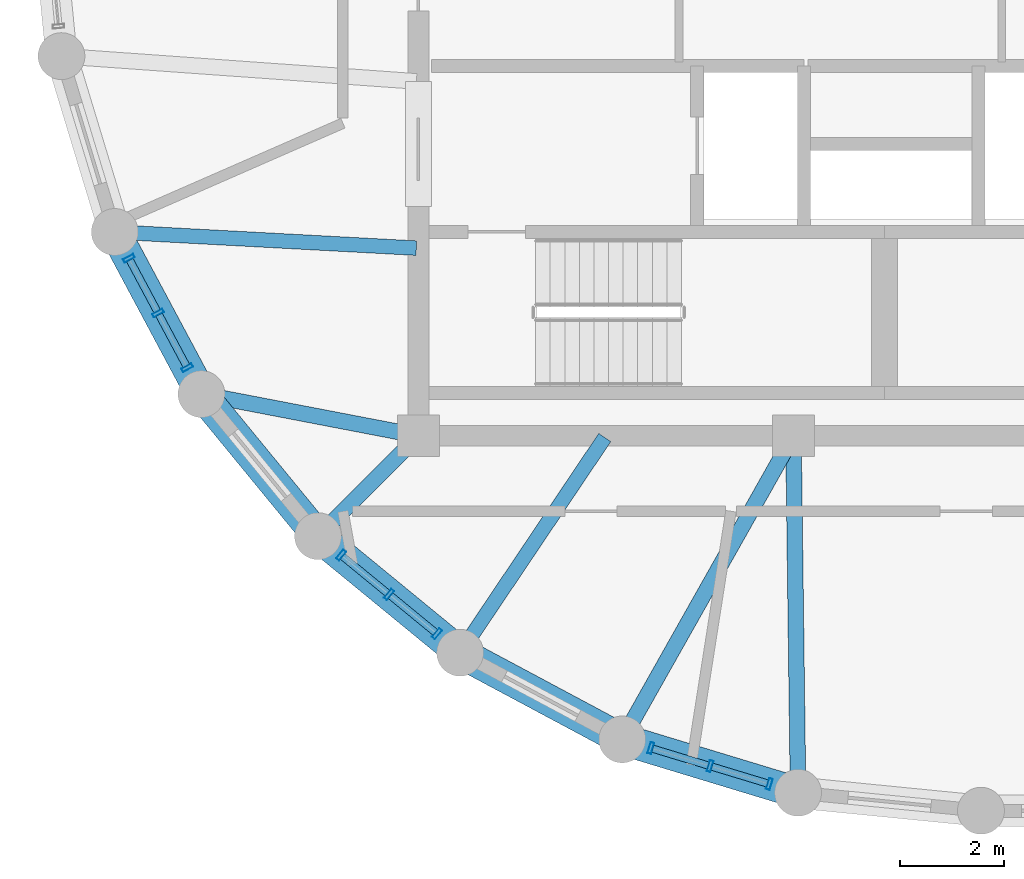
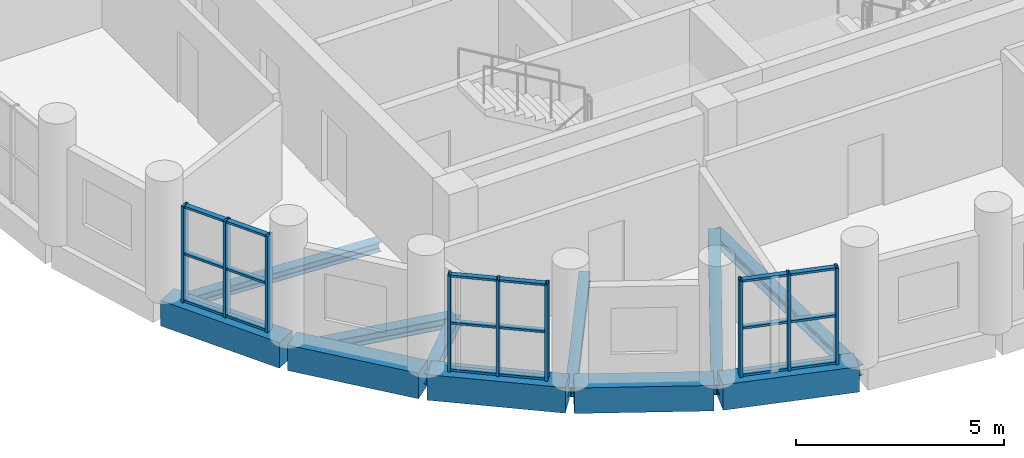
# One storey, part 2 of 11: 27 members, 11 beams, 3 elements without a shape of their own.
"""IFC4 building model written with IfcOpenShell, lengths in metres."""

from ifc_helpers import new_model, si_unit, direction, frame, origin, origin_2d, place, context, subcontext, project, spatial, rectangle, hollow_rectangle, i_section, extrude, material, layer, layer_set, material_profile, profile_set, type_object, element, aggregate, save


model = new_model("IFC4")

# Units and contexts
model_context = context("Model", 3, precision=1e-05, world=origin(), true_north=direction((0.0, 1.0)))
body_context = subcontext(model_context, "Body", "Model", "MODEL_VIEW")
ifc_project = project(units=[si_unit("LENGTHUNIT", "METRE"), si_unit("AREAUNIT", "SQUARE_METRE"), si_unit("VOLUMEUNIT", "CUBIC_METRE"), si_unit("PLANEANGLEUNIT", "RADIAN"), si_unit("MASSUNIT", "GRAM", prefix="KILO")], contexts=[model_context])

# Site, building, storey
site_placement = place(None, origin())
site = spatial("IfcSite", under=ifc_project, at=site_placement, CompositionType="ELEMENT")
building_placement = place(site_placement, origin())
building = spatial("IfcBuilding", under=site, at=building_placement, Name="Solnavia Interchange Tower", CompositionType="ELEMENT")
storey_placement = place(building_placement, frame((0.0, 0.0, 239.0)))
storey = spatial("IfcBuildingStorey", under=building, at=storey_placement, Name="L60", CompositionType="ELEMENT", Elevation=239.0)

# Beams
ifc_material_1 = material(Name="Steel S460", Category="steel")
ifc_material_profile_1 = material_profile(ifc_material_1, i_section(OverallWidth=0.300048828125, OverallDepth=0.300048828125, WebThickness=0.010986328125, FlangeThickness=0.01904296875, FilletRadius=0.027099609375, at=origin_2d()), Name="HEB 300")
ifc_profile_set_1 = profile_set([ifc_material_profile_1], Name="Steel S460")
beam_type_1 = type_object("IfcBeamType", Name="Beam-Girder-HEB300", PredefinedType="BEAM", material=ifc_profile_set_1)
beam_1_placement = place(storey_placement, frame((10.3125, 11.5849609375, -0.39990234375), z_axis=(0.982057527796, -0.188581579428, 0.0), x_axis=(0.188581579428, 0.982057527796, 0.0)))
element("IfcBeam", 1, at=beam_1_placement, inside=storey, type_object=beam_type_1, Name="GRD-L60-DR07 Drum radial floor girder", PredefinedType="BEAM", context=body_context, shape_type="SweptSolid", body=[
    extrude(i_section(OverallWidth=0.300048828125, OverallDepth=0.300048828125, WebThickness=0.010986328125, FlangeThickness=0.01904296875, FilletRadius=0.027099609375, at=origin_2d()), origin(), (0.0, 0.0, 1.0), 4.1220703125),
])
beam_2_placement = place(storey_placement, frame((18.351318359375, 5.039794921875, -0.39990234375), z_axis=(0.491243158486, 0.871022479182, 0.0), x_axis=(-0.871022479182, 0.491243158486, 0.0)))
element("IfcBeam", 2, at=beam_2_placement, inside=storey, type_object=beam_type_1, Name="GRD-L60-DR10 Drum radial floor girder", PredefinedType="BEAM", context=body_context, shape_type="SweptSolid", body=[
    extrude(i_section(OverallWidth=0.300048828125, OverallDepth=0.300048828125, WebThickness=0.010986328125, FlangeThickness=0.01904296875, FilletRadius=0.027099609375, at=origin_2d()), origin(), (0.0, 0.0, 1.0), 6.5732421875),
])
ifc_material_2 = material(Name="Steel S355", Category="steel")
ifc_material_profile_2 = material_profile(ifc_material_2, i_section(OverallWidth=0.280029296875, OverallDepth=0.27001953125, WebThickness=0.008056640625, FlangeThickness=0.012939453125, FilletRadius=0.02392578125, at=origin_2d()), Name="HEA 280")
ifc_profile_set_2 = profile_set([ifc_material_profile_2], Name="Steel S355")
beam_type_2 = type_object("IfcBeamType", Name="Beam-Primary-HEA280", PredefinedType="BEAM", material=ifc_profile_set_2)
beam_3_placement = place(storey_placement, frame((8.64990234375, 14.707763671875, -0.385009765625), z_axis=(0.998570371303, -0.053452909696, 0.0), x_axis=(0.053452909696, 0.998570371303, 0.0)))
element("IfcBeam", 3, at=beam_3_placement, inside=storey, type_object=beam_type_2, Name="GRD-L60-DR06 Drum radial floor girder", PredefinedType="BEAM", context=body_context, shape_type="SweptSolid", body=[
    extrude(i_section(OverallWidth=0.280029296875, OverallDepth=0.27001953125, WebThickness=0.008056640625, FlangeThickness=0.012939453125, FilletRadius=0.02392578125, at=origin_2d()), origin(), (0.0, 0.0, 1.0), 5.71826171875),
])
beam_4_placement = place(storey_placement, frame((15.24462890625, 6.700439453125, -0.385009765625), z_axis=(0.557835474219, 0.829951555033, 0.0), x_axis=(-0.829951555033, 0.557835474219, 0.0)))
element("IfcBeam", 4, at=beam_4_placement, inside=storey, type_object=beam_type_2, Name="GRD-L60-DR09 Drum radial floor girder", PredefinedType="BEAM", context=body_context, shape_type="SweptSolid", body=[
    extrude(i_section(OverallWidth=0.280029296875, OverallDepth=0.27001953125, WebThickness=0.008056640625, FlangeThickness=0.012939453125, FilletRadius=0.02392578125, at=origin_2d()), origin(), (0.0, 0.0, 1.0), 4.899658203125),
])
ifc_material_profile_3 = material_profile(ifc_material_2, i_section(OverallWidth=0.300048828125, OverallDepth=0.31005859375, WebThickness=0.009033203125, FlangeThickness=0.015380859375, FilletRadius=0.027099609375, at=origin_2d()), Name="HEA 320")
ifc_profile_set_3 = profile_set([ifc_material_profile_3], Name="Steel S355")
beam_type_3 = type_object("IfcBeamType", Name="Beam-Primary-HEA320", PredefinedType="BEAM", material=ifc_profile_set_3)
beam_5_placement = place(storey_placement, frame((12.528564453125, 8.9287109375, -0.405029296875), z_axis=(0.707106781187, 0.707106781187, 0.0), x_axis=(-0.707106781187, 0.707106781187, 0.0)))
element("IfcBeam", 5, at=beam_5_placement, inside=storey, type_object=beam_type_3, Name="GRD-L60-DR08 Drum radial floor girder", PredefinedType="BEAM", context=body_context, shape_type="SweptSolid", body=[
    extrude(i_section(OverallWidth=0.300048828125, OverallDepth=0.31005859375, WebThickness=0.009033203125, FlangeThickness=0.015380859375, FilletRadius=0.027099609375, at=origin_2d()), origin(), (0.0, 0.0, 1.0), 2.6064453125),
])
beam_6_placement = place(storey_placement, frame((21.68701171875, 4.02587890625, -0.405029296875), z_axis=(-0.01283293513, 0.999917654498, 0.0), x_axis=(-0.999917654498, -0.01283293513, 0.0)))
element("IfcBeam", 6, at=beam_6_placement, inside=storey, type_object=beam_type_3, Name="GRD-L60-DR11 Drum radial floor girder", PredefinedType="BEAM", context=body_context, shape_type="SweptSolid", body=[
    extrude(i_section(OverallWidth=0.300048828125, OverallDepth=0.31005859375, WebThickness=0.009033203125, FlangeThickness=0.015380859375, FilletRadius=0.027099609375, at=origin_2d()), origin(), (0.0, 0.0, 1.0), 6.734619140625),
])
ifc_material_3 = material(Name="Concrete C50/60", Category="concrete")
ifc_material_profile_4 = material_profile(ifc_material_3, rectangle(XDim=0.60009765625, YDim=0.75, at=origin_2d()), Name="RC 600x750")
ifc_profile_set_4 = profile_set([ifc_material_profile_4], Name="Concrete C50/60")
beam_type_4 = type_object("IfcBeamType", Name="Beam-Spandrel-RC600x750", PredefinedType="SPANDREL", material=ifc_profile_set_4)
beam_7_placement = place(storey_placement, frame((8.607666015625, 14.6416015625, -0.375), z_axis=(0.471509422952, -0.881861023102, 0.0), x_axis=(0.881861023102, 0.471509422952, 0.0)))
element("IfcBeam", 7, at=beam_7_placement, inside=storey, type_object=beam_type_4, Name="SPB-L60-03 Framed-tube perimeter spandrel beam", PredefinedType="SPANDREL", context=body_context, shape_type="SweptSolid", body=[
    extrude(rectangle(XDim=0.60009765625, YDim=0.75, at=origin_2d()), origin(), (0.0, 0.0, 1.0), 3.369140625),
])
for number, where, z_axis, x_axis, name in (
    (8, (10.28466796875, 11.5380859375, -0.375), (0.634298841675, -0.773087950656, 0.0), (0.773087950656, 0.634298841675, 0.0), "SPB-L60-04 Framed-tube perimeter spandrel beam"),
    (9, (12.53369140625, 8.8212890625, -0.375), (0.773152644452, -0.634219984214, 0.0), (0.634219984214, 0.773152644452, 0.0), "SPB-L60-05 Framed-tube perimeter spandrel beam"),
):
    element("IfcBeam", number, at=place(storey_placement, frame(where, z_axis=z_axis, x_axis=x_axis)), inside=storey, type_object=beam_type_4, Name=name, PredefinedType="SPANDREL", context=body_context, shape_type="SweptSolid", body=[
        extrude(rectangle(XDim=0.60009765625, YDim=0.75, at=origin_2d()), origin(), (0.0, 0.0, 1.0), 3.36865234375),
    ])
beam_8_placement = place(storey_placement, frame((15.2705078125, 6.59619140625, -0.375), z_axis=(0.881875044348, -0.47148319817, 0.0), x_axis=(0.47148319817, 0.881875044348, 0.0)))
element("IfcBeam", 10, at=beam_8_placement, inside=storey, type_object=beam_type_4, Name="SPB-L60-06 Framed-tube perimeter spandrel beam", PredefinedType="SPANDREL", context=body_context, shape_type="SweptSolid", body=[
    extrude(rectangle(XDim=0.60009765625, YDim=0.75, at=origin_2d()), origin(), (0.0, 0.0, 1.0), 3.368896484375),
])
beam_9_placement = place(storey_placement, frame((18.388671875, 4.94677734375, -0.375), z_axis=(0.956943884494, -0.290272978297, 0.0), x_axis=(0.290272978297, 0.956943884494, 0.0)))
element("IfcBeam", 11, at=beam_9_placement, inside=storey, type_object=beam_type_4, Name="SPB-L60-07 Framed-tube perimeter spandrel beam", PredefinedType="SPANDREL", context=body_context, shape_type="SweptSolid", body=[
    extrude(rectangle(XDim=0.60009765625, YDim=0.75, at=origin_2d()), origin(), (0.0, 0.0, 1.0), 3.36767578125),
])

# Curtain wall, members
ifc_material_4 = material(Name="Aluminium Alloy 6063-T6", Category="aluminium")
ifc_layer = layer(ifc_material_4, 0.239990234375)
ifc_layer_set = layer_set([ifc_layer], Name="Aluminium Alloy 6063-T6")
curtain_wall_type = type_object("IfcCurtainWallType", Name="CurtainWall-Drum-CTW2", PredefinedType="NOTDEFINED", material=ifc_layer_set)
curtain_wall_1_placement = place(storey_placement, origin())
curtain_wall_1 = element("IfcCurtainWall", 12, at=curtain_wall_1_placement, inside=storey, type_object=curtain_wall_type, Name="CTW-L60-D39 CTW-2 curtain wall", PredefinedType="NOTDEFINED")
ifc_material_profile_5 = material_profile(ifc_material_4, hollow_rectangle(XDim=0.074951171875, YDim=0.219970703125, WallThickness=0.0048828125, at=origin_2d()), Name="ALU 220x75x5")
ifc_profile_set_5 = profile_set([ifc_material_profile_5], Name="Aluminium Alloy 6063-T6")
member_type_1 = type_object("IfcMemberType", Name="CW-Mullion-CWM-2", PredefinedType="MULLION", material=ifc_profile_set_5)
member_1_placement = place(storey_placement, frame((8.841064453125, 14.204833984375, 0.0), z_axis=(0.0, 0.0, 1.0), x_axis=(0.471560876964, -0.881833509976, 0.0)))
member_1 = element("IfcMember", 13, at=member_1_placement, type_object=member_type_1, Name="CTW-2 mullion 1", PredefinedType="MULLION", context=body_context, shape_type="SweptSolid", body=[
    extrude(hollow_rectangle(XDim=0.074951171875, YDim=0.219970703125, WallThickness=0.0048828125, at=origin_2d()), origin(), (0.0, 0.0, 1.0), 2.830078125),
])
member_2_placement = place(storey_placement, frame((9.402099609375, 13.156005859375, 0.0), z_axis=(0.0, 0.0, 1.0), x_axis=(0.471560876964, -0.881833509976, 0.0)))
member_2 = element("IfcMember", 14, at=member_2_placement, type_object=member_type_1, Name="CTW-2 mullion 2", PredefinedType="MULLION", context=body_context, shape_type="SweptSolid", body=[
    extrude(hollow_rectangle(XDim=0.074951171875, YDim=0.219970703125, WallThickness=0.0048828125, at=origin_2d()), origin(), (0.0, 0.0, 1.0), 2.830078125),
])
member_3_placement = place(storey_placement, frame((9.962890625, 12.107177734375, 0.0), z_axis=(0.0, 0.0, 1.0), x_axis=(0.471560876964, -0.881833509976, 0.0)))
member_3 = element("IfcMember", 15, at=member_3_placement, type_object=member_type_1, Name="CTW-2 mullion 3", PredefinedType="MULLION", context=body_context, shape_type="SweptSolid", body=[
    extrude(hollow_rectangle(XDim=0.074951171875, YDim=0.219970703125, WallThickness=0.0048828125, at=origin_2d()), origin(), (0.0, 0.0, 1.0), 2.830078125),
])

curtain_wall_2_placement = place(storey_placement, origin())
curtain_wall_2 = element("IfcCurtainWall", 16, at=curtain_wall_2_placement, inside=storey, type_object=curtain_wall_type, Name="CTW-L60-D41 CTW-2 curtain wall", PredefinedType="NOTDEFINED")
member_4_placement = place(storey_placement, frame((12.91650390625, 8.50732421875, 0.0), z_axis=(0.0, 0.0, 1.0), x_axis=(0.773103093557, -0.634280384951, 0.0)))
member_4 = element("IfcMember", 17, at=member_4_placement, type_object=member_type_1, Name="CTW-2 mullion 1", PredefinedType="MULLION", context=body_context, shape_type="SweptSolid", body=[
    extrude(hollow_rectangle(XDim=0.074951171875, YDim=0.219970703125, WallThickness=0.0048828125, at=origin_2d()), origin(), (0.0, 0.0, 1.0), 2.830078125),
])
member_5_placement = place(storey_placement, frame((13.8359375, 7.7529296875, 0.0), z_axis=(0.0, 0.0, 1.0), x_axis=(0.773103093557, -0.634280384951, 0.0)))
member_5 = element("IfcMember", 18, at=member_5_placement, type_object=member_type_1, Name="CTW-2 mullion 2", PredefinedType="MULLION", context=body_context, shape_type="SweptSolid", body=[
    extrude(hollow_rectangle(XDim=0.074951171875, YDim=0.219970703125, WallThickness=0.0048828125, at=origin_2d()), origin(), (0.0, 0.0, 1.0), 2.830078125),
])
member_6_placement = place(storey_placement, frame((14.75537109375, 6.998779296875, 0.0), z_axis=(0.0, 0.0, 1.0), x_axis=(0.773103093557, -0.634280384951, 0.0)))
member_6 = element("IfcMember", 19, at=member_6_placement, type_object=member_type_1, Name="CTW-2 mullion 3", PredefinedType="MULLION", context=body_context, shape_type="SweptSolid", body=[
    extrude(hollow_rectangle(XDim=0.074951171875, YDim=0.219970703125, WallThickness=0.0048828125, at=origin_2d()), origin(), (0.0, 0.0, 1.0), 2.830078125),
])

curtain_wall_3_placement = place(storey_placement, origin())
curtain_wall_3 = element("IfcCurtainWall", 20, at=curtain_wall_3_placement, inside=storey, type_object=curtain_wall_type, Name="CTW-L60-D43 CTW-2 curtain wall", PredefinedType="NOTDEFINED")
member_7_placement = place(storey_placement, frame((18.8623046875, 4.80322265625, 0.0), z_axis=(0.0, 0.0, 1.0), x_axis=(0.956942072515, -0.290278951786, 0.0)))
member_7 = element("IfcMember", 21, at=member_7_placement, type_object=member_type_1, Name="CTW-2 mullion 1", PredefinedType="MULLION", context=body_context, shape_type="SweptSolid", body=[
    extrude(hollow_rectangle(XDim=0.074951171875, YDim=0.219970703125, WallThickness=0.0048828125, at=origin_2d()), origin(), (0.0, 0.0, 1.0), 2.830078125),
])
member_8_placement = place(storey_placement, frame((20.0, 4.4580078125, 0.0), z_axis=(0.0, 0.0, 1.0), x_axis=(0.956942072515, -0.290278951786, 0.0)))
member_8 = element("IfcMember", 22, at=member_8_placement, type_object=member_type_1, Name="CTW-2 mullion 2", PredefinedType="MULLION", context=body_context, shape_type="SweptSolid", body=[
    extrude(hollow_rectangle(XDim=0.074951171875, YDim=0.219970703125, WallThickness=0.0048828125, at=origin_2d()), origin(), (0.0, 0.0, 1.0), 2.830078125),
])
member_9_placement = place(storey_placement, frame((21.1376953125, 4.11279296875, 0.0), z_axis=(0.0, 0.0, 1.0), x_axis=(0.956942072515, -0.290278951786, 0.0)))
member_9 = element("IfcMember", 23, at=member_9_placement, type_object=member_type_1, Name="CTW-2 mullion 3", PredefinedType="MULLION", context=body_context, shape_type="SweptSolid", body=[
    extrude(hollow_rectangle(XDim=0.074951171875, YDim=0.219970703125, WallThickness=0.0048828125, at=origin_2d()), origin(), (0.0, 0.0, 1.0), 2.830078125),
])

# Member
ifc_material_profile_6 = material_profile(ifc_material_4, hollow_rectangle(XDim=0.06494140625, YDim=0.139892578125, WallThickness=0.00390625, at=origin_2d()), Name="ALU 140x65x4")
ifc_profile_set_6 = profile_set([ifc_material_profile_6], Name="Aluminium Alloy 6063-T6")
member_type_2 = type_object("IfcMemberType", Name="CW-Transom-CWT-2", PredefinedType="USERDEFINED", material=ifc_profile_set_6)
member_10_placement = place(storey_placement, frame((8.85888671875, 14.171875, 0.032470703125), z_axis=(0.471406647105, -0.881915967122, 0.0), x_axis=(0.0, 0.0, 1.0)))
member_10 = element("IfcMember", 24, at=member_10_placement, type_object=member_type_2, Name="CTW-2 transom 1.1", ObjectType="TRANSOM", PredefinedType="USERDEFINED", context=body_context, shape_type="SweptSolid", body=[
    extrude(hollow_rectangle(XDim=0.06494140625, YDim=0.139892578125, WallThickness=0.00390625, at=origin_2d()), origin(), (0.0, 0.0, 1.0), 1.114501953125),
])

member_11_placement = place(storey_placement, frame((8.85888671875, 14.171875, 1.4150390625), z_axis=(0.471406647105, -0.881915967122, 0.0), x_axis=(0.0, 0.0, 1.0)))
member_11 = element("IfcMember", 25, at=member_11_placement, type_object=member_type_2, Name="CTW-2 transom 1.2", ObjectType="TRANSOM", PredefinedType="USERDEFINED", context=body_context, shape_type="SweptSolid", body=[
    extrude(hollow_rectangle(XDim=0.06494140625, YDim=0.139892578125, WallThickness=0.00390625, at=origin_2d()), origin(), (0.0, 0.0, 1.0), 1.114501953125),
])

member_12_placement = place(storey_placement, frame((8.85888671875, 14.171875, 2.797607421875), z_axis=(0.471406647105, -0.881915967122, 0.0), x_axis=(0.0, 0.0, 1.0)))
member_12 = element("IfcMember", 26, at=member_12_placement, type_object=member_type_2, Name="CTW-2 transom 1.3", ObjectType="TRANSOM", PredefinedType="USERDEFINED", context=body_context, shape_type="SweptSolid", body=[
    extrude(hollow_rectangle(XDim=0.06494140625, YDim=0.139892578125, WallThickness=0.00390625, at=origin_2d()), origin(), (0.0, 0.0, 1.0), 1.114501953125),
])

member_13_placement = place(storey_placement, frame((9.419677734375, 13.123046875, 0.032470703125), z_axis=(0.471576996491, -0.881824889862, 0.0), x_axis=(0.0, 0.0, 1.0)))
member_13 = element("IfcMember", 27, at=member_13_placement, type_object=member_type_2, Name="CTW-2 transom 2.1", ObjectType="TRANSOM", PredefinedType="USERDEFINED", context=body_context, shape_type="SweptSolid", body=[
    extrude(hollow_rectangle(XDim=0.06494140625, YDim=0.139892578125, WallThickness=0.00390625, at=origin_2d()), origin(), (0.0, 0.0, 1.0), 1.11474609375),
])

member_14_placement = place(storey_placement, frame((9.419677734375, 13.123046875, 1.4150390625), z_axis=(0.471576996491, -0.881824889862, 0.0), x_axis=(0.0, 0.0, 1.0)))
member_14 = element("IfcMember", 28, at=member_14_placement, type_object=member_type_2, Name="CTW-2 transom 2.2", ObjectType="TRANSOM", PredefinedType="USERDEFINED", context=body_context, shape_type="SweptSolid", body=[
    extrude(hollow_rectangle(XDim=0.06494140625, YDim=0.139892578125, WallThickness=0.00390625, at=origin_2d()), origin(), (0.0, 0.0, 1.0), 1.11474609375),
])

member_15_placement = place(storey_placement, frame((9.419677734375, 13.123046875, 2.797607421875), z_axis=(0.471576996491, -0.881824889862, 0.0), x_axis=(0.0, 0.0, 1.0)))
member_15 = element("IfcMember", 29, at=member_15_placement, type_object=member_type_2, Name="CTW-2 transom 2.3", ObjectType="TRANSOM", PredefinedType="USERDEFINED", context=body_context, shape_type="SweptSolid", body=[
    extrude(hollow_rectangle(XDim=0.06494140625, YDim=0.139892578125, WallThickness=0.00390625, at=origin_2d()), origin(), (0.0, 0.0, 1.0), 1.11474609375),
])

aggregate(curtain_wall_1, [member_1, member_2, member_3, member_10, member_11, member_12, member_13, member_14, member_15])

member_16_placement = place(storey_placement, frame((12.945556640625, 8.483642578125, 0.032470703125), z_axis=(0.773136723636, -0.634239392158, 0.0), x_axis=(0.0, 0.0, 1.0)))
member_16 = element("IfcMember", 30, at=member_16_placement, type_object=member_type_2, Name="CTW-2 transom 1.1", ObjectType="TRANSOM", PredefinedType="USERDEFINED", context=body_context, shape_type="SweptSolid", body=[
    extrude(hollow_rectangle(XDim=0.06494140625, YDim=0.139892578125, WallThickness=0.00390625, at=origin_2d()), origin(), (0.0, 0.0, 1.0), 1.114501953125),
])

member_17_placement = place(storey_placement, frame((12.945556640625, 8.483642578125, 1.4150390625), z_axis=(0.773136723636, -0.634239392158, 0.0), x_axis=(0.0, 0.0, 1.0)))
member_17 = element("IfcMember", 31, at=member_17_placement, type_object=member_type_2, Name="CTW-2 transom 1.2", ObjectType="TRANSOM", PredefinedType="USERDEFINED", context=body_context, shape_type="SweptSolid", body=[
    extrude(hollow_rectangle(XDim=0.06494140625, YDim=0.139892578125, WallThickness=0.00390625, at=origin_2d()), origin(), (0.0, 0.0, 1.0), 1.114501953125),
])

member_18_placement = place(storey_placement, frame((12.945556640625, 8.483642578125, 2.797607421875), z_axis=(0.773136723636, -0.634239392158, 0.0), x_axis=(0.0, 0.0, 1.0)))
member_18 = element("IfcMember", 32, at=member_18_placement, type_object=member_type_2, Name="CTW-2 transom 1.3", ObjectType="TRANSOM", PredefinedType="USERDEFINED", context=body_context, shape_type="SweptSolid", body=[
    extrude(hollow_rectangle(XDim=0.06494140625, YDim=0.139892578125, WallThickness=0.00390625, at=origin_2d()), origin(), (0.0, 0.0, 1.0), 1.114501953125),
])

member_19_placement = place(storey_placement, frame((13.864990234375, 7.729248046875, 0.032470703125), z_axis=(0.773048573819, -0.634346831407, 0.0), x_axis=(0.0, 0.0, 1.0)))
member_19 = element("IfcMember", 33, at=member_19_placement, type_object=member_type_2, Name="CTW-2 transom 2.1", ObjectType="TRANSOM", PredefinedType="USERDEFINED", context=body_context, shape_type="SweptSolid", body=[
    extrude(hollow_rectangle(XDim=0.06494140625, YDim=0.139892578125, WallThickness=0.00390625, at=origin_2d()), origin(), (0.0, 0.0, 1.0), 1.1142578125),
])

member_20_placement = place(storey_placement, frame((13.864990234375, 7.729248046875, 1.4150390625), z_axis=(0.773048573819, -0.634346831407, 0.0), x_axis=(0.0, 0.0, 1.0)))
member_20 = element("IfcMember", 34, at=member_20_placement, type_object=member_type_2, Name="CTW-2 transom 2.2", ObjectType="TRANSOM", PredefinedType="USERDEFINED", context=body_context, shape_type="SweptSolid", body=[
    extrude(hollow_rectangle(XDim=0.06494140625, YDim=0.139892578125, WallThickness=0.00390625, at=origin_2d()), origin(), (0.0, 0.0, 1.0), 1.1142578125),
])

member_21_placement = place(storey_placement, frame((13.864990234375, 7.729248046875, 2.797607421875), z_axis=(0.773048573819, -0.634346831407, 0.0), x_axis=(0.0, 0.0, 1.0)))
member_21 = element("IfcMember", 35, at=member_21_placement, type_object=member_type_2, Name="CTW-2 transom 2.3", ObjectType="TRANSOM", PredefinedType="USERDEFINED", context=body_context, shape_type="SweptSolid", body=[
    extrude(hollow_rectangle(XDim=0.06494140625, YDim=0.139892578125, WallThickness=0.00390625, at=origin_2d()), origin(), (0.0, 0.0, 1.0), 1.1142578125),
])

aggregate(curtain_wall_2, [member_4, member_5, member_6, member_16, member_17, member_18, member_19, member_20, member_21])

member_22_placement = place(storey_placement, frame((18.898193359375, 4.792236328125, 0.032470703125), z_axis=(0.956965394332, -0.290202057283, 0.0), x_axis=(0.0, 0.0, 1.0)))
member_22 = element("IfcMember", 36, at=member_22_placement, type_object=member_type_2, Name="CTW-2 transom 1.1", ObjectType="TRANSOM", PredefinedType="USERDEFINED", context=body_context, shape_type="SweptSolid", body=[
    extrude(hollow_rectangle(XDim=0.06494140625, YDim=0.139892578125, WallThickness=0.00390625, at=origin_2d()), origin(), (0.0, 0.0, 1.0), 1.11376953125),
])

member_23_placement = place(storey_placement, frame((18.898193359375, 4.792236328125, 1.4150390625), z_axis=(0.956965394332, -0.290202057283, 0.0), x_axis=(0.0, 0.0, 1.0)))
member_23 = element("IfcMember", 37, at=member_23_placement, type_object=member_type_2, Name="CTW-2 transom 1.2", ObjectType="TRANSOM", PredefinedType="USERDEFINED", context=body_context, shape_type="SweptSolid", body=[
    extrude(hollow_rectangle(XDim=0.06494140625, YDim=0.139892578125, WallThickness=0.00390625, at=origin_2d()), origin(), (0.0, 0.0, 1.0), 1.11376953125),
])

member_24_placement = place(storey_placement, frame((18.898193359375, 4.792236328125, 2.797607421875), z_axis=(0.956965394332, -0.290202057283, 0.0), x_axis=(0.0, 0.0, 1.0)))
member_24 = element("IfcMember", 38, at=member_24_placement, type_object=member_type_2, Name="CTW-2 transom 1.3", ObjectType="TRANSOM", PredefinedType="USERDEFINED", context=body_context, shape_type="SweptSolid", body=[
    extrude(hollow_rectangle(XDim=0.06494140625, YDim=0.139892578125, WallThickness=0.00390625, at=origin_2d()), origin(), (0.0, 0.0, 1.0), 1.11376953125),
])

member_25_placement = place(storey_placement, frame((20.035888671875, 4.447021484375, 0.032470703125), z_axis=(0.956965394332, -0.290202057283, 0.0), x_axis=(0.0, 0.0, 1.0)))
member_25 = element("IfcMember", 39, at=member_25_placement, type_object=member_type_2, Name="CTW-2 transom 2.1", ObjectType="TRANSOM", PredefinedType="USERDEFINED", context=body_context, shape_type="SweptSolid", body=[
    extrude(hollow_rectangle(XDim=0.06494140625, YDim=0.139892578125, WallThickness=0.00390625, at=origin_2d()), origin(), (0.0, 0.0, 1.0), 1.11376953125),
])

member_26_placement = place(storey_placement, frame((20.035888671875, 4.447021484375, 1.4150390625), z_axis=(0.956965394332, -0.290202057283, 0.0), x_axis=(0.0, 0.0, 1.0)))
member_26 = element("IfcMember", 40, at=member_26_placement, type_object=member_type_2, Name="CTW-2 transom 2.2", ObjectType="TRANSOM", PredefinedType="USERDEFINED", context=body_context, shape_type="SweptSolid", body=[
    extrude(hollow_rectangle(XDim=0.06494140625, YDim=0.139892578125, WallThickness=0.00390625, at=origin_2d()), origin(), (0.0, 0.0, 1.0), 1.11376953125),
])

member_27_placement = place(storey_placement, frame((20.035888671875, 4.447021484375, 2.797607421875), z_axis=(0.956965394332, -0.290202057283, 0.0), x_axis=(0.0, 0.0, 1.0)))
member_27 = element("IfcMember", 41, at=member_27_placement, type_object=member_type_2, Name="CTW-2 transom 2.3", ObjectType="TRANSOM", PredefinedType="USERDEFINED", context=body_context, shape_type="SweptSolid", body=[
    extrude(hollow_rectangle(XDim=0.06494140625, YDim=0.139892578125, WallThickness=0.00390625, at=origin_2d()), origin(), (0.0, 0.0, 1.0), 1.11376953125),
])

aggregate(curtain_wall_3, [member_7, member_8, member_9, member_22, member_23, member_24, member_25, member_26, member_27])

save(model, "model.ifc")
